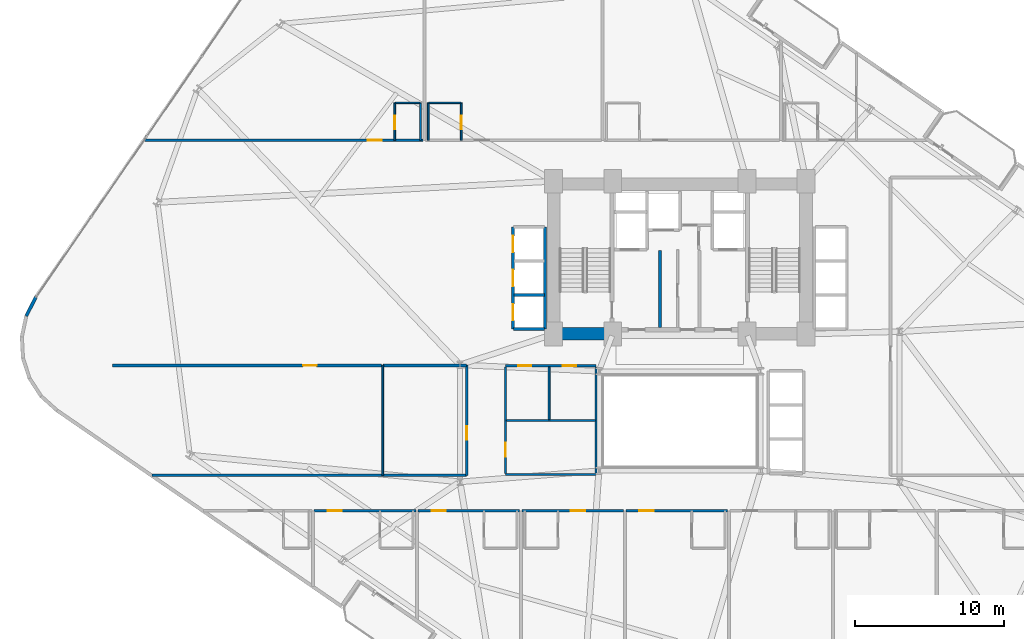
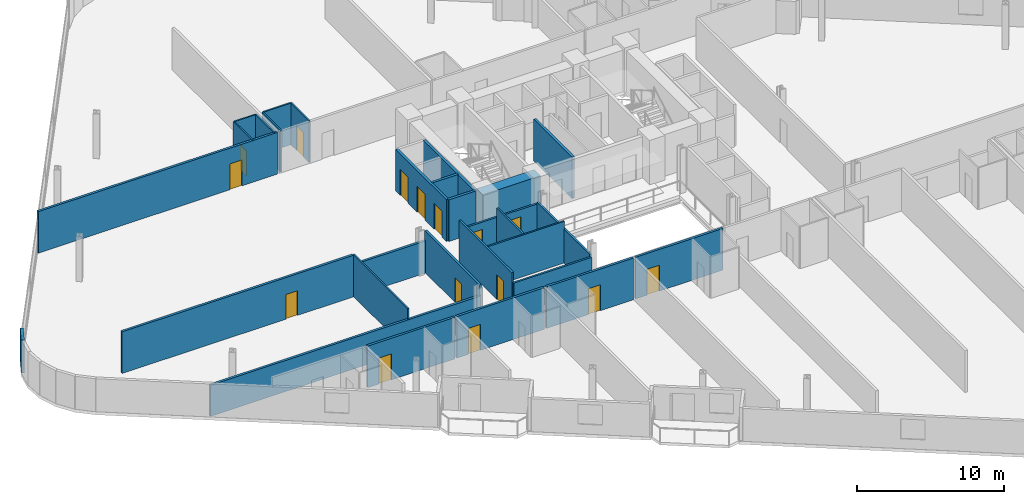
# One storey, part 18 of 25: 29 walls, 15 doors, 15 openings.
"""IFC4 building model written with IfcOpenShell, lengths in metres."""

from ifc_helpers import new_model, si_unit, direction, frame, frame_2d, origin, place, context, subcontext, project, spatial, rectangle, extrude, material, layer, layer_set, type_object, element, fill, save


model = new_model("IFC4")

# Units and contexts
model_context = context("Model", 3, precision=1e-05, world=origin(), true_north=direction((0.0, 1.0)))
body_context = subcontext(model_context, "Body", "Model", "MODEL_VIEW")
ifc_project = project(units=[si_unit("LENGTHUNIT", "METRE"), si_unit("AREAUNIT", "SQUARE_METRE"), si_unit("VOLUMEUNIT", "CUBIC_METRE"), si_unit("PLANEANGLEUNIT", "RADIAN"), si_unit("MASSUNIT", "GRAM", prefix="KILO")], contexts=[model_context])

# Site, building, storey
site_placement = place(None, origin())
site = spatial("IfcSite", under=ifc_project, at=site_placement, CompositionType="ELEMENT")
building_placement = place(site_placement, origin())
building = spatial("IfcBuilding", under=site, at=building_placement, Name="Varnelok Gate Tower", CompositionType="ELEMENT")
storey_placement = place(building_placement, frame((0.0, 0.0, 49.199951171875)))
storey = spatial("IfcBuildingStorey", under=building, at=storey_placement, Name="L11", CompositionType="ELEMENT", Elevation=49.199951171875)

# Wall
ifc_material_1 = material(Name="Concrete C45/55", Category="concrete")
ifc_layer_1 = layer(ifc_material_1, 0.219970703125)
ifc_layer_set_1 = layer_set([ifc_layer_1], Name="Concrete C45/55")
wall_type_1 = type_object("IfcWallType", Name="EW-BALC-220", PredefinedType="SOLIDWALL", material=ifc_layer_set_1)
wall_1_placement = place(storey_placement, frame((-4.158203125, 31.24462890625, 0.0), z_axis=(0.0, 0.0, 1.0), x_axis=(-0.454777156549, -0.890605264908, 0.0)))
element("IfcWall", 1, at=wall_1_placement, inside=storey, type_object=wall_type_1, Name="L11 Perimeter Facade Closure Wall 1", PredefinedType="SOLIDWALL", context=body_context, shape_type="SweptSolid", body=[
    extrude(rectangle(XDim=1.43017578125, YDim=0.219970703125, at=frame_2d((0.715087890625, 0.0))), origin(), (0.0, 0.0, 1.0), 2.72998046875),
])

# Wall, opening, door
ifc_material_2 = material(Name="Gypsum Plasterboard Acoustic Partition", Category="gypsum")
ifc_layer_2 = layer(ifc_material_2, 0.179931640625)
ifc_layer_set_2 = layer_set([ifc_layer_2], Name="Gypsum Plasterboard Acoustic Partition")
wall_type_2 = type_object("IfcWallType", Name="PW-CORR-180", PredefinedType="PARTITIONING", material=ifc_layer_set_2)
wall_2_placement = place(storey_placement, frame((14.580078125, 16.85009765625, 0.0), z_axis=(0.0, 0.0, 1.0), x_axis=(1.0, 0.0, 0.0)))
wall_2 = element("IfcWall", 2, at=wall_2_placement, inside=storey, type_object=wall_type_2, Name="Interior Partition", PredefinedType="PARTITIONING", context=body_context, shape_type="SweptSolid", body=[
    extrude(rectangle(XDim=6.83984375, YDim=0.179931640625, at=frame_2d((3.419921875, 0.0))), origin(), (0.0, 0.0, 1.0), 3.449951171875),
])
opening_1_placement = place(wall_2_placement, frame((0.89990234375, 0.0, 0.0)))
opening_1 = element("IfcOpeningElement", 3, at=opening_1_placement, cuts=wall_2, Name="Opening D-HT", PredefinedType="OPENING", context=body_context, shape_type="SweptSolid", body=[
    extrude(rectangle(XDim=0.949951171875, YDim=2.14990234375, at=frame_2d((0.47509765625, 1.074951171875))), frame((0.0, 0.099853515625, 0.0), z_axis=(0.0, -1.0, 0.0), x_axis=(1.0, 0.0, 0.0)), (0.0, 0.0, 1.0), 0.199951171875),
])
ifc_material_3 = material(Name="Engineered Hardwood Timber", Category="wood")
door_type_1 = type_object("IfcDoorType", Name="DR-HTL-950", OperationType="NOTDEFINED", PredefinedType="DOOR", material=ifc_material_3)
door_1_placement = place(opening_1_placement, origin())
door_1 = element("IfcDoor", 4, at=door_1_placement, inside=storey, type_object=door_type_1, Name="L11 Guest Room 02 Entrance Door", OperationType="SINGLE_SWING_LEFT", OverallHeight=2.14990234375, OverallWidth=0.949951171875, PredefinedType="DOOR", context=body_context, shape_type="SweptSolid", body=[
    extrude(rectangle(XDim=0.949951171875, YDim=2.14990234375, at=frame_2d((0.47509765625, 1.074951171875))), frame((0.0, 0.02490234375, 0.0), z_axis=(0.0, -1.0, 0.0), x_axis=(1.0, 0.0, 0.0)), (0.0, 0.0, 1.0), 0.050048828125),
])
fill(opening_1, door_1)

wall_3_placement = place(storey_placement, frame((21.580078125, 16.85009765625, 0.0), z_axis=(0.0, 0.0, 1.0), x_axis=(1.0, 0.0, 0.0)))
wall_3 = element("IfcWall", 5, at=wall_3_placement, inside=storey, type_object=wall_type_2, Name="Interior Partition", PredefinedType="PARTITIONING", context=body_context, shape_type="SweptSolid", body=[
    extrude(rectangle(XDim=6.83984375, YDim=0.179931640625, at=frame_2d((3.419921875, 0.0))), origin(), (0.0, 0.0, 1.0), 3.449951171875),
])
opening_2_placement = place(wall_3_placement, frame((0.89990234375, 0.0, 0.0)))
opening_2 = element("IfcOpeningElement", 6, at=opening_2_placement, cuts=wall_3, Name="Opening D-HT", PredefinedType="OPENING", context=body_context, shape_type="SweptSolid", body=[
    extrude(rectangle(XDim=0.949951171875, YDim=2.14990234375, at=frame_2d((0.47509765625, 1.074951171875))), frame((0.0, 0.099853515625, 0.0), z_axis=(0.0, -1.0, 0.0), x_axis=(1.0, 0.0, 0.0)), (0.0, 0.0, 1.0), 0.199951171875),
])
door_2_placement = place(opening_2_placement, origin())
door_2 = element("IfcDoor", 7, at=door_2_placement, inside=storey, type_object=door_type_1, Name="L11 Guest Room 03 Entrance Door", OperationType="SINGLE_SWING_RIGHT", OverallHeight=2.14990234375, OverallWidth=0.949951171875, PredefinedType="DOOR", context=body_context, shape_type="SweptSolid", body=[
    extrude(rectangle(XDim=0.949951171875, YDim=2.14990234375, at=frame_2d((0.47509765625, 1.074951171875))), frame((0.0, 0.02490234375, 0.0), z_axis=(0.0, -1.0, 0.0), x_axis=(1.0, 0.0, 0.0)), (0.0, 0.0, 1.0), 0.050048828125),
])
fill(opening_2, door_2)

wall_4_placement = place(storey_placement, frame((28.580078125, 16.85009765625, 0.0), z_axis=(0.0, 0.0, 1.0), x_axis=(1.0, 0.0, 0.0)))
wall_4 = element("IfcWall", 8, at=wall_4_placement, inside=storey, type_object=wall_type_2, Name="Interior Partition", PredefinedType="PARTITIONING", context=body_context, shape_type="SweptSolid", body=[
    extrude(rectangle(XDim=6.83984375, YDim=0.179931640625, at=frame_2d((3.419921875, 0.0))), origin(), (0.0, 0.0, 1.0), 3.449951171875),
])
opening_3_placement = place(wall_4_placement, frame((3.2900390625, 0.0, 0.0)))
opening_3 = element("IfcOpeningElement", 9, at=opening_3_placement, cuts=wall_4, Name="Opening D-HT", PredefinedType="OPENING", context=body_context, shape_type="SweptSolid", body=[
    extrude(rectangle(XDim=0.949951171875, YDim=2.14990234375, at=frame_2d((0.47509765625, 1.074951171875))), frame((0.0, 0.099853515625, 0.0), z_axis=(0.0, -1.0, 0.0), x_axis=(1.0, 0.0, 0.0)), (0.0, 0.0, 1.0), 0.199951171875),
])
door_3_placement = place(opening_3_placement, origin())
door_3 = element("IfcDoor", 10, at=door_3_placement, inside=storey, type_object=door_type_1, Name="L11 Guest Room 04 Entrance Door", OperationType="SINGLE_SWING_LEFT", OverallHeight=2.14990234375, OverallWidth=0.949951171875, PredefinedType="DOOR", context=body_context, shape_type="SweptSolid", body=[
    extrude(rectangle(XDim=0.949951171875, YDim=2.14990234375, at=frame_2d((0.47509765625, 1.074951171875))), frame((0.0, 0.02490234375, 0.0), z_axis=(0.0, -1.0, 0.0), x_axis=(1.0, 0.0, 0.0)), (0.0, 0.0, 1.0), 0.050048828125),
])
fill(opening_3, door_3)

wall_5_placement = place(storey_placement, frame((35.580078125, 16.85009765625, 0.0), z_axis=(0.0, 0.0, 1.0), x_axis=(1.0, 0.0, 0.0)))
wall_5 = element("IfcWall", 11, at=wall_5_placement, inside=storey, type_object=wall_type_2, Name="Interior Partition", PredefinedType="PARTITIONING", context=body_context, shape_type="SweptSolid", body=[
    extrude(rectangle(XDim=6.83984375, YDim=0.179931640625, at=frame_2d((3.419921875, 0.0))), origin(), (0.0, 0.0, 1.0), 3.449951171875),
])
opening_4_placement = place(wall_5_placement, frame((0.89990234375, 0.0, 0.0)))
opening_4 = element("IfcOpeningElement", 12, at=opening_4_placement, cuts=wall_5, Name="Opening D-HT", PredefinedType="OPENING", context=body_context, shape_type="SweptSolid", body=[
    extrude(rectangle(XDim=0.949951171875, YDim=2.14990234375, at=frame_2d((0.47509765625, 1.074951171875))), frame((0.0, 0.099853515625, 0.0), z_axis=(0.0, -1.0, 0.0), x_axis=(1.0, 0.0, 0.0)), (0.0, 0.0, 1.0), 0.199951171875),
])
door_4_placement = place(opening_4_placement, origin())
door_4 = element("IfcDoor", 13, at=door_4_placement, inside=storey, type_object=door_type_1, Name="L11 Guest Room 05 Entrance Door", OperationType="SINGLE_SWING_RIGHT", OverallHeight=2.14990234375, OverallWidth=0.949951171875, PredefinedType="DOOR", context=body_context, shape_type="SweptSolid", body=[
    extrude(rectangle(XDim=0.949951171875, YDim=2.14990234375, at=frame_2d((0.47509765625, 1.074951171875))), frame((0.0, 0.02490234375, 0.0), z_axis=(0.0, -1.0, 0.0), x_axis=(1.0, 0.0, 0.0)), (0.0, 0.0, 1.0), 0.050048828125),
])
fill(opening_4, door_4)

wall_6_placement = place(storey_placement, frame((3.17578125, 41.800048828125, 0.0), z_axis=(0.0, 0.0, 1.0), x_axis=(1.0, 0.0, 0.0)))
wall_6 = element("IfcWall", 14, at=wall_6_placement, inside=storey, type_object=wall_type_2, Name="Interior Partition", PredefinedType="PARTITIONING", context=body_context, shape_type="SweptSolid", body=[
    extrude(rectangle(XDim=18.744140625, YDim=0.179931640625, at=frame_2d((9.3720703125, 0.0))), origin(), (0.0, 0.0, 1.0), 3.449951171875),
])
opening_5_placement = place(wall_6_placement, frame((15.004150390625, 0.0, 0.0)))
opening_5 = element("IfcOpeningElement", 15, at=opening_5_placement, cuts=wall_6, Name="Opening D-HT", PredefinedType="OPENING", context=body_context, shape_type="SweptSolid", body=[
    extrude(rectangle(XDim=0.949951171875, YDim=2.14990234375, at=frame_2d((0.47509765625, 1.074951171875))), frame((0.0, 0.099853515625, 0.0), z_axis=(0.0, -1.0, 0.0), x_axis=(1.0, 0.0, 0.0)), (0.0, 0.0, 1.0), 0.199951171875),
])
door_5_placement = place(opening_5_placement, origin())
door_5 = element("IfcDoor", 16, at=door_5_placement, inside=storey, type_object=door_type_1, Name="L11 Guest Room 10 Entrance Door", OperationType="SINGLE_SWING_LEFT", OverallHeight=2.14990234375, OverallWidth=0.949951171875, PredefinedType="DOOR", context=body_context, shape_type="SweptSolid", body=[
    extrude(rectangle(XDim=0.949951171875, YDim=2.14990234375, at=frame_2d((0.47509765625, 1.074951171875))), frame((0.0, 0.02490234375, 0.0), z_axis=(0.0, -1.0, 0.0), x_axis=(1.0, 0.0, 0.0)), (0.0, 0.0, 1.0), 0.050048828125),
])
fill(opening_5, door_5)

wall_7_placement = place(storey_placement, frame((1.0, 26.639892578125, 0.0), z_axis=(0.0, 0.0, 1.0), x_axis=(1.0, 0.0, 0.0)))
wall_7 = element("IfcWall", 17, at=wall_7_placement, inside=storey, type_object=wall_type_2, Name="Interior Partition", PredefinedType="PARTITIONING", context=body_context, shape_type="SweptSolid", body=[
    extrude(rectangle(XDim=18.1201171875, YDim=0.179931640625, at=frame_2d((9.06005859375, 0.0))), origin(), (0.0, 0.0, 1.0), 3.449951171875),
])
opening_6_placement = place(wall_7_placement, frame((12.8291015625, 0.0, 0.0)))
opening_6 = element("IfcOpeningElement", 18, at=opening_6_placement, cuts=wall_7, Name="Opening D-I3", PredefinedType="OPENING", context=body_context, shape_type="SweptSolid", body=[
    extrude(rectangle(XDim=0.919921875, YDim=2.050048828125, at=frame_2d((0.4599609375, 1.02490234375))), frame((0.0, 0.099853515625, 0.0), z_axis=(0.0, -1.0, 0.0), x_axis=(1.0, 0.0, 0.0)), (0.0, 0.0, 1.0), 0.199951171875),
])
door_type_2 = type_object("IfcDoorType", Name="DR-INT-920", OperationType="NOTDEFINED", PredefinedType="DOOR", material=ifc_material_3)
door_6_placement = place(opening_6_placement, origin())
door_6 = element("IfcDoor", 19, at=door_6_placement, inside=storey, type_object=door_type_2, Name="L11 West Treatment Door", OperationType="SINGLE_SWING_RIGHT", OverallHeight=2.050048828125, OverallWidth=0.919921875, PredefinedType="DOOR", context=body_context, shape_type="SweptSolid", body=[
    extrude(rectangle(XDim=0.919921875, YDim=2.050048828125, at=frame_2d((0.4599609375, 1.02490234375))), frame((0.0, 0.02490234375, 0.0), z_axis=(0.0, -1.0, 0.0), x_axis=(1.0, 0.0, 0.0)), (0.0, 0.0, 1.0), 0.050048828125),
])
fill(opening_6, door_6)

wall_8_placement = place(storey_placement, frame((24.85009765625, 19.239990234375, 0.0), z_axis=(0.0, 0.0, 1.0), x_axis=(0.0, 1.0, 0.0)))
wall_8 = element("IfcWall", 20, at=wall_8_placement, inside=storey, type_object=wall_type_2, Name="Interior Partition", PredefinedType="PARTITIONING", context=body_context, shape_type="SweptSolid", body=[
    extrude(rectangle(XDim=7.419921875, YDim=0.179931640625, at=frame_2d((3.7099609375, 0.0))), origin(), (0.0, 0.0, 1.0), 3.449951171875),
])
opening_7_placement = place(wall_8_placement, frame((2.39990234375, 0.0, 0.0)))
opening_7 = element("IfcOpeningElement", 21, at=opening_7_placement, cuts=wall_8, Name="Opening D-I3", PredefinedType="OPENING", context=body_context, shape_type="SweptSolid", body=[
    extrude(rectangle(XDim=0.919921875, YDim=2.050048828125, at=frame_2d((0.4599609375, 1.02490234375))), frame((0.0, 0.099853515625, 0.0), z_axis=(0.0, -1.0, 0.0), x_axis=(1.0, 0.0, 0.0)), (0.0, 0.0, 1.0), 0.199951171875),
])
door_7_placement = place(opening_7_placement, origin())
door_7 = element("IfcDoor", 22, at=door_7_placement, inside=storey, type_object=door_type_2, Name="L11 West Playroom Door", OperationType="SINGLE_SWING_LEFT", OverallHeight=2.050048828125, OverallWidth=0.919921875, PredefinedType="DOOR", context=body_context, shape_type="SweptSolid", body=[
    extrude(rectangle(XDim=0.919921875, YDim=2.050048828125, at=frame_2d((0.4599609375, 1.02490234375))), frame((0.0, 0.02490234375, 0.0), z_axis=(0.0, -1.0, 0.0), x_axis=(1.0, 0.0, 0.0)), (0.0, 0.0, 1.0), 0.050048828125),
])
fill(opening_7, door_7)

# Walls
wall_9_placement = place(storey_placement, frame((3.644775390625, 19.239990234375, 0.0), z_axis=(0.0, 0.0, 1.0), x_axis=(1.0, 0.0, 0.0)))
element("IfcWall", 23, at=wall_9_placement, inside=storey, type_object=wall_type_2, Name="Interior Partition", PredefinedType="PARTITIONING", context=body_context, shape_type="SweptSolid", body=[
    extrude(rectangle(XDim=21.205322265625, YDim=0.179931640625, at=frame_2d((10.6025390625, 0.0))), origin(), (0.0, 0.0, 1.0), 2.580078125),
])
wall_10_placement = place(storey_placement, frame((19.199951171875, 26.639892578125, 0.0), z_axis=(0.0, 0.0, 1.0), x_axis=(1.0, 0.0, 0.0)))
element("IfcWall", 24, at=wall_10_placement, inside=storey, type_object=wall_type_2, Name="Interior Partition", PredefinedType="PARTITIONING", context=body_context, shape_type="SweptSolid", body=[
    extrude(rectangle(XDim=5.650146484375, YDim=0.179931640625, at=frame_2d((2.8251953125, 0.0))), origin(), (0.0, 0.0, 1.0), 2.662109375),
])
ifc_layer_3 = layer(ifc_material_2, 0.114990234375)
ifc_layer_set_3 = layer_set([ifc_layer_3], Name="Gypsum Plasterboard Acoustic Partition")
wall_type_3 = type_object("IfcWallType", Name="PW-ENS-125", PredefinedType="PARTITIONING", material=ifc_layer_set_3)
wall_11_placement = place(storey_placement, frame((20.050048828125, 44.320068359375, 0.0), z_axis=(0.0, 0.0, 1.0), x_axis=(1.0, 0.0, 0.0)))
element("IfcWall", 25, at=wall_11_placement, inside=storey, type_object=wall_type_3, Name="Interior Partition", PredefinedType="PARTITIONING", context=body_context, shape_type="SweptSolid", body=[
    extrude(rectangle(XDim=1.64990234375, YDim=0.114990234375, at=frame_2d((0.824951171875, 0.0))), origin(), (0.0, 0.0, 1.0), 3.449951171875),
])

# Wall, opening, door
wall_12_placement = place(storey_placement, frame((20.010009765625, 41.800048828125, 0.0), z_axis=(0.0, 0.0, 1.0), x_axis=(0.0, 1.0, 0.0)))
wall_12 = element("IfcWall", 26, at=wall_12_placement, inside=storey, type_object=wall_type_3, Name="Interior Partition", PredefinedType="PARTITIONING", context=body_context, shape_type="SweptSolid", body=[
    extrude(rectangle(XDim=2.52001953125, YDim=0.114990234375, at=frame_2d((1.260009765625, 0.0))), origin(), (0.0, 0.0, 1.0), 3.449951171875),
])
opening_8_placement = place(wall_12_placement, frame((0.760009765625, 0.0, 0.0)))
opening_8 = element("IfcOpeningElement", 27, at=opening_8_placement, cuts=wall_12, Name="Opening D-WC", PredefinedType="OPENING", context=body_context, shape_type="SweptSolid", body=[
    extrude(rectangle(XDim=0.89990234375, YDim=2.050048828125, at=frame_2d((0.449951171875, 1.02490234375))), frame((0.0, 0.0673828125, 0.0), z_axis=(0.0, -1.0, 0.0), x_axis=(1.0, 0.0, 0.0)), (0.0, 0.0, 1.0), 0.135009765625),
])
door_type_3 = type_object("IfcDoorType", Name="DR-BATH-900", OperationType="NOTDEFINED", PredefinedType="DOOR", material=ifc_material_3)
door_8_placement = place(opening_8_placement, origin())
door_8 = element("IfcDoor", 28, at=door_8_placement, inside=storey, type_object=door_type_3, Name="L11 North En-Suite 10 Door", OperationType="SINGLE_SWING_LEFT", OverallHeight=2.050048828125, OverallWidth=0.89990234375, PredefinedType="DOOR", context=body_context, shape_type="SweptSolid", body=[
    extrude(rectangle(XDim=0.89990234375, YDim=2.050048828125, at=frame_2d((0.449951171875, 1.02490234375))), frame((0.0, 0.02490234375, 0.0), z_axis=(0.0, -1.0, 0.0), x_axis=(1.0, 0.0, 0.0)), (0.0, 0.0, 1.0), 0.050048828125),
])
fill(opening_8, door_8)

# Walls
wall_13_placement = place(storey_placement, frame((21.739990234375, 41.800048828125, 0.0), z_axis=(0.0, 0.0, 1.0), x_axis=(0.0, 1.0, 0.0)))
element("IfcWall", 29, at=wall_13_placement, inside=storey, type_object=wall_type_3, Name="Interior Partition", PredefinedType="PARTITIONING", context=body_context, shape_type="SweptSolid", body=[
    extrude(rectangle(XDim=2.52001953125, YDim=0.114990234375, at=frame_2d((1.260009765625, 0.0))), origin(), (0.0, 0.0, 1.0), 3.449951171875),
])
wall_14_placement = place(storey_placement, frame((22.300048828125, 44.320068359375, 0.0), z_axis=(0.0, 0.0, 1.0), x_axis=(1.0, 0.0, 0.0)))
element("IfcWall", 30, at=wall_14_placement, inside=storey, type_object=wall_type_3, Name="Interior Partition", PredefinedType="PARTITIONING", context=body_context, shape_type="SweptSolid", body=[
    extrude(rectangle(XDim=2.14990234375, YDim=0.114990234375, at=frame_2d((1.074951171875, 0.0))), origin(), (0.0, 0.0, 1.0), 3.449951171875),
])

# Wall, opening, door
wall_15_placement = place(storey_placement, frame((24.489990234375, 41.800048828125, 0.0), z_axis=(0.0, 0.0, 1.0), x_axis=(0.0, 1.0, 0.0)))
wall_15 = element("IfcWall", 31, at=wall_15_placement, inside=storey, type_object=wall_type_3, Name="Interior Partition", PredefinedType="PARTITIONING", context=body_context, shape_type="SweptSolid", body=[
    extrude(rectangle(XDim=2.52001953125, YDim=0.114990234375, at=frame_2d((1.260009765625, 0.0))), origin(), (0.0, 0.0, 1.0), 3.449951171875),
])
opening_9_placement = place(wall_15_placement, frame((0.760009765625, 0.0, 0.0)))
opening_9 = element("IfcOpeningElement", 32, at=opening_9_placement, cuts=wall_15, Name="Opening D-WC", PredefinedType="OPENING", context=body_context, shape_type="SweptSolid", body=[
    extrude(rectangle(XDim=0.89990234375, YDim=2.050048828125, at=frame_2d((0.449951171875, 1.02490234375))), frame((0.0, 0.0673828125, 0.0), z_axis=(0.0, -1.0, 0.0), x_axis=(1.0, 0.0, 0.0)), (0.0, 0.0, 1.0), 0.135009765625),
])
door_9_placement = place(opening_9_placement, origin())
door_9 = element("IfcDoor", 33, at=door_9_placement, inside=storey, type_object=door_type_3, Name="L11 North En-Suite 11 Door", OperationType="SINGLE_SWING_RIGHT", OverallHeight=2.050048828125, OverallWidth=0.89990234375, PredefinedType="DOOR", context=body_context, shape_type="SweptSolid", body=[
    extrude(rectangle(XDim=0.89990234375, YDim=2.050048828125, at=frame_2d((0.449951171875, 1.02490234375))), frame((0.0, 0.02490234375, 0.0), z_axis=(0.0, -1.0, 0.0), x_axis=(1.0, 0.0, 0.0)), (0.0, 0.0, 1.0), 0.050048828125),
])
fill(opening_9, door_9)

# Walls
wall_16_placement = place(storey_placement, frame((22.260009765625, 41.800048828125, 0.0), z_axis=(0.0, 0.0, 1.0), x_axis=(0.0, 1.0, 0.0)))
element("IfcWall", 34, at=wall_16_placement, inside=storey, type_object=wall_type_3, Name="Interior Partition", PredefinedType="PARTITIONING", context=body_context, shape_type="SweptSolid", body=[
    extrude(rectangle(XDim=2.52001953125, YDim=0.114990234375, at=frame_2d((1.260009765625, 0.0))), origin(), (0.0, 0.0, 1.0), 3.449951171875),
])
ifc_layer_4 = layer(ifc_material_2, 0.125)
ifc_layer_set_4 = layer_set([ifc_layer_4], Name="Gypsum Plasterboard Acoustic Partition")
wall_type_4 = type_object("IfcWallType", Name="PW-PART-125", PredefinedType="PARTITIONING", material=ifc_layer_set_4)
wall_17_placement = place(storey_placement, frame((19.199951171875, 19.239990234375, 0.0), z_axis=(0.0, 0.0, 1.0), x_axis=(0.0, 1.0, 0.0)))
element("IfcWall", 35, at=wall_17_placement, inside=storey, type_object=wall_type_4, Name="Interior Partition", PredefinedType="PARTITIONING", context=body_context, shape_type="SweptSolid", body=[
    extrude(rectangle(XDim=7.419921875, YDim=0.125, at=frame_2d((3.7099609375, 0.0))), origin(), (0.0, 0.0, 1.0), 3.449951171875),
])
wall_18_placement = place(storey_placement, frame((27.52001953125, 22.929931640625, 0.0), z_axis=(0.0, 0.0, 1.0), x_axis=(1.0, 0.0, 0.0)))
element("IfcWall", 36, at=wall_18_placement, inside=storey, type_object=wall_type_4, Name="Interior Partition", PredefinedType="PARTITIONING", context=body_context, shape_type="SweptSolid", body=[
    extrude(rectangle(XDim=6.0, YDim=0.125, at=frame_2d((3.0, 0.0))), origin(), (0.0, 0.0, 1.0), 3.449951171875),
])
wall_19_placement = place(storey_placement, frame((30.39990234375, 23.0, 0.0), z_axis=(0.0, 0.0, 1.0), x_axis=(0.0, 1.0, 0.0)))
element("IfcWall", 37, at=wall_19_placement, inside=storey, type_object=wall_type_4, Name="Interior Partition", PredefinedType="PARTITIONING", context=body_context, shape_type="SweptSolid", body=[
    extrude(rectangle(XDim=3.5400390625, YDim=0.125, at=frame_2d((1.77001953125, 0.0))), origin(), (0.0, 0.0, 1.0), 3.449951171875),
])
ifc_layer_5 = layer(ifc_material_2, 0.14990234375)
ifc_layer_set_5 = layer_set([ifc_layer_5], Name="Gypsum Plasterboard Acoustic Partition")
wall_type_5 = type_object("IfcWallType", Name="PW-PART-150", PredefinedType="PARTITIONING", material=ifc_layer_set_5)
wall_20_placement = place(storey_placement, frame((27.4599609375, 19.300048828125, 0.0), z_axis=(0.0, 0.0, 1.0), x_axis=(1.0, 0.0, 0.0)))
element("IfcWall", 38, at=wall_20_placement, inside=storey, type_object=wall_type_5, Name="Interior Partition", PredefinedType="PARTITIONING", context=body_context, shape_type="SweptSolid", body=[
    extrude(rectangle(XDim=6.10009765625, YDim=0.14990234375, at=frame_2d((3.050048828125, 0.0))), origin(), (0.0, 0.0, 1.0), 2.662109375),
])

# Wall, openings, doors
wall_21_placement = place(storey_placement, frame((27.4599609375, 26.6201171875, 0.0), z_axis=(0.0, 0.0, 1.0), x_axis=(1.0, 0.0, 0.0)))
wall_21 = element("IfcWall", 39, at=wall_21_placement, inside=storey, type_object=wall_type_5, Name="Interior Partition", PredefinedType="PARTITIONING", context=body_context, shape_type="SweptSolid", body=[
    extrude(rectangle(XDim=6.10009765625, YDim=0.14990234375, at=frame_2d((3.050048828125, 0.0))), origin(), (0.0, 0.0, 1.0), 2.662109375),
])
opening_10_placement = place(wall_21_placement, frame((0.85009765625, 0.0, 0.0)))
opening_10 = element("IfcOpeningElement", 40, at=opening_10_placement, cuts=wall_21, Name="Opening D-WC", PredefinedType="OPENING", context=body_context, shape_type="SweptSolid", body=[
    extrude(rectangle(XDim=0.89990234375, YDim=2.050048828125, at=frame_2d((0.449951171875, 1.02490234375))), frame((0.0, 0.0849609375, 0.0), z_axis=(0.0, -1.0, 0.0), x_axis=(1.0, 0.0, 0.0)), (0.0, 0.0, 1.0), 0.169921875),
])
opening_11_placement = place(wall_21_placement, frame((3.85009765625, 0.0, 0.0)))
opening_11 = element("IfcOpeningElement", 41, at=opening_11_placement, cuts=wall_21, Name="Opening D-I3", PredefinedType="OPENING", context=body_context, shape_type="SweptSolid", body=[
    extrude(rectangle(XDim=0.919921875, YDim=2.050048828125, at=frame_2d((0.4599609375, 1.02490234375))), frame((0.0, 0.0849609375, 0.0), z_axis=(0.0, -1.0, 0.0), x_axis=(1.0, 0.0, 0.0)), (0.0, 0.0, 1.0), 0.169921875),
])
door_10_placement = place(opening_10_placement, origin())
door_10 = element("IfcDoor", 42, at=door_10_placement, inside=storey, type_object=door_type_3, Name="L11 Accessible Floor WC Door", OperationType="SINGLE_SWING_RIGHT", OverallHeight=2.050048828125, OverallWidth=0.89990234375, PredefinedType="DOOR", context=body_context, shape_type="SweptSolid", body=[
    extrude(rectangle(XDim=0.89990234375, YDim=2.050048828125, at=frame_2d((0.449951171875, 1.02490234375))), frame((0.0, 0.02490234375, 0.0), z_axis=(0.0, -1.0, 0.0), x_axis=(1.0, 0.0, 0.0)), (0.0, 0.0, 1.0), 0.050048828125),
])
fill(opening_10, door_10)
door_11_placement = place(opening_11_placement, origin())
door_11 = element("IfcDoor", 43, at=door_11_placement, inside=storey, type_object=door_type_2, Name="L11 Cleaner Supply Door", OperationType="SINGLE_SWING_LEFT", OverallHeight=2.050048828125, OverallWidth=0.919921875, PredefinedType="DOOR", context=body_context, shape_type="SweptSolid", body=[
    extrude(rectangle(XDim=0.919921875, YDim=2.050048828125, at=frame_2d((0.4599609375, 1.02490234375))), frame((0.0, 0.02490234375, 0.0), z_axis=(0.0, -1.0, 0.0), x_axis=(1.0, 0.0, 0.0)), (0.0, 0.0, 1.0), 0.050048828125),
])
fill(opening_11, door_11)

# Wall, opening, door
wall_22_placement = place(storey_placement, frame((27.4599609375, 19.3798828125, 0.0), z_axis=(0.0, 0.0, 1.0), x_axis=(0.0, 1.0, 0.0)))
wall_22 = element("IfcWall", 44, at=wall_22_placement, inside=storey, type_object=wall_type_5, Name="Interior Partition", PredefinedType="PARTITIONING", context=body_context, shape_type="SweptSolid", body=[
    extrude(rectangle(XDim=7.16015625, YDim=0.14990234375, at=frame_2d((3.580078125, 0.0))), origin(), (0.0, 0.0, 1.0), 3.449951171875),
])
opening_12_placement = place(wall_22_placement, frame((1.10009765625, 0.0, 0.0)))
opening_12 = element("IfcOpeningElement", 45, at=opening_12_placement, cuts=wall_22, Name="Opening D-I2", PredefinedType="OPENING", context=body_context, shape_type="SweptSolid", body=[
    extrude(rectangle(XDim=0.949951171875, YDim=2.050048828125, at=frame_2d((0.47509765625, 1.02490234375))), frame((0.0, 0.0849609375, 0.0), z_axis=(0.0, -1.0, 0.0), x_axis=(1.0, 0.0, 0.0)), (0.0, 0.0, 1.0), 0.169921875),
])
door_type_4 = type_object("IfcDoorType", Name="DR-INT-950", OperationType="NOTDEFINED", PredefinedType="DOOR", material=ifc_material_3)
door_12_placement = place(opening_12_placement, origin())
door_12 = element("IfcDoor", 46, at=door_12_placement, inside=storey, type_object=door_type_4, Name="L11 Hotel Fitness Studio Door", OperationType="SINGLE_SWING_LEFT", OverallHeight=2.050048828125, OverallWidth=0.949951171875, PredefinedType="DOOR", context=body_context, shape_type="SweptSolid", body=[
    extrude(rectangle(XDim=0.949951171875, YDim=2.050048828125, at=frame_2d((0.47509765625, 1.02490234375))), frame((0.0, 0.02490234375, 0.0), z_axis=(0.0, -1.0, 0.0), x_axis=(1.0, 0.0, 0.0)), (0.0, 0.0, 1.0), 0.050048828125),
])
fill(opening_12, door_12)

# Walls
wall_23_placement = place(storey_placement, frame((33.56005859375, 19.3798828125, 0.0), z_axis=(0.0, 0.0, 1.0), x_axis=(0.0, 1.0, 0.0)))
element("IfcWall", 47, at=wall_23_placement, inside=storey, type_object=wall_type_5, Name="Interior Partition", PredefinedType="PARTITIONING", context=body_context, shape_type="SweptSolid", body=[
    extrude(rectangle(XDim=7.16015625, YDim=0.14990234375, at=frame_2d((3.580078125, 0.0))), origin(), (0.0, 0.0, 1.0), 2.823974609375),
])
ifc_material_4 = material(Name="Concrete C35/45", Category="concrete")
ifc_layer_6 = layer(ifc_material_4, 0.199951171875)
ifc_layer_set_6 = layer_set([ifc_layer_6], Name="Concrete C35/45")
wall_type_6 = type_object("IfcWallType", Name="PW-SHAFT-200", PredefinedType="PARTITIONING", material=ifc_layer_set_6)
wall_24_placement = place(storey_placement, frame((37.860107421875, 29.199951171875, 0.0), z_axis=(0.0, 0.0, 1.0), x_axis=(0.0, 1.0, 0.0)))
element("IfcWall", 48, at=wall_24_placement, inside=storey, type_object=wall_type_6, Name="L11 West FF Lobby Rated Wall", PredefinedType="PARTITIONING", context=body_context, shape_type="SweptSolid", body=[
    extrude(rectangle(XDim=5.179931640625, YDim=0.199951171875, at=frame_2d((2.58984375, 0.0))), origin(), (0.0, 0.0, 1.0), 3.449951171875),
])
wall_25_placement = place(storey_placement, frame((28.02001953125, 31.375, 0.0), z_axis=(0.0, 0.0, 1.0), x_axis=(1.0, 0.0, 0.0)))
element("IfcWall", 49, at=wall_25_placement, inside=storey, type_object=wall_type_6, Name="L11 PL1 Divider", PredefinedType="PARTITIONING", context=body_context, shape_type="SweptSolid", body=[
    extrude(rectangle(XDim=2.06005859375, YDim=0.199951171875, at=frame_2d((1.030029296875, 0.0))), origin(), (0.0, 0.0, 1.0), 3.449951171875),
])
wall_26_placement = place(storey_placement, frame((28.0, 29.080078125, 0.0), z_axis=(0.0, 0.0, 1.0), x_axis=(1.0, 0.0, 0.0)))
element("IfcWall", 50, at=wall_26_placement, inside=storey, type_object=wall_type_6, Name="L11 PL Bank South Wall", PredefinedType="PARTITIONING", context=body_context, shape_type="SweptSolid", body=[
    extrude(rectangle(XDim=2.10009765625, YDim=0.199951171875, at=frame_2d((1.050048828125, 0.0))), origin(), (0.0, 0.0, 1.0), 3.449951171875),
])
wall_27_placement = place(storey_placement, frame((30.1201171875, 29.080078125, 0.0), z_axis=(0.0, 0.0, 1.0), x_axis=(0.0, 1.0, 0.0)))
element("IfcWall", 51, at=wall_27_placement, inside=storey, type_object=wall_type_6, Name="L11 PL Bank Back Wall", PredefinedType="PARTITIONING", context=body_context, shape_type="SweptSolid", body=[
    extrude(rectangle(XDim=6.889892578125, YDim=0.199951171875, at=frame_2d((3.44482421875, 0.0))), origin(), (0.0, 0.0, 1.0), 3.449951171875),
])

# Wall, openings, doors
wall_28_placement = place(storey_placement, frame((27.9599609375, 29.080078125, 0.0), z_axis=(0.0, 0.0, 1.0), x_axis=(0.0, 1.0, 0.0)))
wall_28 = element("IfcWall", 52, at=wall_28_placement, inside=storey, type_object=wall_type_6, Name="L11 PL Bank Front Wall", PredefinedType="PARTITIONING", context=body_context, shape_type="SweptSolid", body=[
    extrude(rectangle(XDim=6.889892578125, YDim=0.199951171875, at=frame_2d((3.44482421875, 0.0))), origin(), (0.0, 0.0, 1.0), 3.449951171875),
])
opening_13_placement = place(wall_28_placement, frame((0.590087890625, 0.0, 0.0)))
opening_13 = element("IfcOpeningElement", 53, at=opening_13_placement, cuts=wall_28, Name="Opening LD-PL1", PredefinedType="OPENING", context=body_context, shape_type="SweptSolid", body=[
    extrude(rectangle(XDim=1.10009765625, YDim=2.14990234375, at=frame_2d((0.550048828125, 1.074951171875))), frame((0.0, 0.10986328125, 0.0), z_axis=(0.0, -1.0, 0.0), x_axis=(1.0, 0.0, 0.0)), (0.0, 0.0, 1.0), 0.219970703125),
])
opening_14_placement = place(wall_28_placement, frame((2.889892578125, 0.0, 0.0)))
opening_14 = element("IfcOpeningElement", 54, at=opening_14_placement, cuts=wall_28, Name="Opening LD-PL2", PredefinedType="OPENING", context=body_context, shape_type="SweptSolid", body=[
    extrude(rectangle(XDim=1.10009765625, YDim=2.14990234375, at=frame_2d((0.550048828125, 1.074951171875))), frame((0.0, 0.10986328125, 0.0), z_axis=(0.0, -1.0, 0.0), x_axis=(1.0, 0.0, 0.0)), (0.0, 0.0, 1.0), 0.219970703125),
])
opening_15_placement = place(wall_28_placement, frame((5.18994140625, 0.0, 0.0)))
opening_15 = element("IfcOpeningElement", 55, at=opening_15_placement, cuts=wall_28, Name="Opening LD-PL3", PredefinedType="OPENING", context=body_context, shape_type="SweptSolid", body=[
    extrude(rectangle(XDim=1.10009765625, YDim=2.14990234375, at=frame_2d((0.550048828125, 1.074951171875))), frame((0.0, 0.10986328125, 0.0), z_axis=(0.0, -1.0, 0.0), x_axis=(1.0, 0.0, 0.0)), (0.0, 0.0, 1.0), 0.219970703125),
])
ifc_material_5 = material(Name="Galvanized Steel Grade S350GD", Category="steel")
door_type_5 = type_object("IfcDoorType", Name="DR-LIFT-PAX1100", OperationType="SLIDING_TO_LEFT", PredefinedType="DOOR", material=ifc_material_5)
door_13_placement = place(opening_13_placement, origin())
door_13 = element("IfcDoor", 56, at=door_13_placement, inside=storey, type_object=door_type_5, Name="L11 Passenger Lift Landing Door LD-PL1", OperationType="SLIDING_TO_LEFT", OverallHeight=2.14990234375, OverallWidth=1.10009765625, PredefinedType="DOOR", context=body_context, shape_type="SweptSolid", body=[
    extrude(rectangle(XDim=1.10009765625, YDim=2.14990234375, at=frame_2d((0.550048828125, 1.074951171875))), frame((0.0, 0.02490234375, 0.0), z_axis=(0.0, -1.0, 0.0), x_axis=(1.0, 0.0, 0.0)), (0.0, 0.0, 1.0), 0.050048828125),
])
fill(opening_13, door_13)
door_14_placement = place(opening_14_placement, origin())
door_14 = element("IfcDoor", 57, at=door_14_placement, inside=storey, type_object=door_type_5, Name="L11 Passenger Lift Landing Door LD-PL2", OperationType="SLIDING_TO_LEFT", OverallHeight=2.14990234375, OverallWidth=1.10009765625, PredefinedType="DOOR", context=body_context, shape_type="SweptSolid", body=[
    extrude(rectangle(XDim=1.10009765625, YDim=2.14990234375, at=frame_2d((0.550048828125, 1.074951171875))), frame((0.0, 0.02490234375, 0.0), z_axis=(0.0, -1.0, 0.0), x_axis=(1.0, 0.0, 0.0)), (0.0, 0.0, 1.0), 0.050048828125),
])
fill(opening_14, door_14)
door_15_placement = place(opening_15_placement, origin())
door_15 = element("IfcDoor", 58, at=door_15_placement, inside=storey, type_object=door_type_5, Name="L11 Passenger Lift Landing Door LD-PL3", OperationType="SLIDING_TO_LEFT", OverallHeight=2.14990234375, OverallWidth=1.10009765625, PredefinedType="DOOR", context=body_context, shape_type="SweptSolid", body=[
    extrude(rectangle(XDim=1.10009765625, YDim=2.14990234375, at=frame_2d((0.550048828125, 1.074951171875))), frame((0.0, 0.02490234375, 0.0), z_axis=(0.0, -1.0, 0.0), x_axis=(1.0, 0.0, 0.0)), (0.0, 0.0, 1.0), 0.050048828125),
])
fill(opening_15, door_15)

# Wall
ifc_material_6 = material(Name="Concrete C70/85", Category="concrete")
ifc_layer_7 = layer(ifc_material_6, 0.85009765625)
ifc_layer_set_7 = layer_set([ifc_layer_7], Name="Concrete C70/85")
wall_type_7 = type_object("IfcWallType", Name="SW-CORE-850", PredefinedType="SHEAR", material=ifc_layer_set_7)
wall_29_placement = place(storey_placement, frame((30.280029296875, 28.77490234375, 0.0), z_axis=(0.0, 0.0, 1.0), x_axis=(1.0, 0.0, 0.0)))
element("IfcWall", 59, at=wall_29_placement, inside=storey, type_object=wall_type_7, Name="L11 Rear Core South-West Shear Wall", PredefinedType="SHEAR", context=body_context, shape_type="SweptSolid", body=[
    extrude(rectangle(XDim=4.52001953125, YDim=0.85009765625, at=frame_2d((2.260009765625, 0.0))), origin(), (0.0, 0.0, 1.0), 3.449951171875),
])

save(model, "model.ifc")
